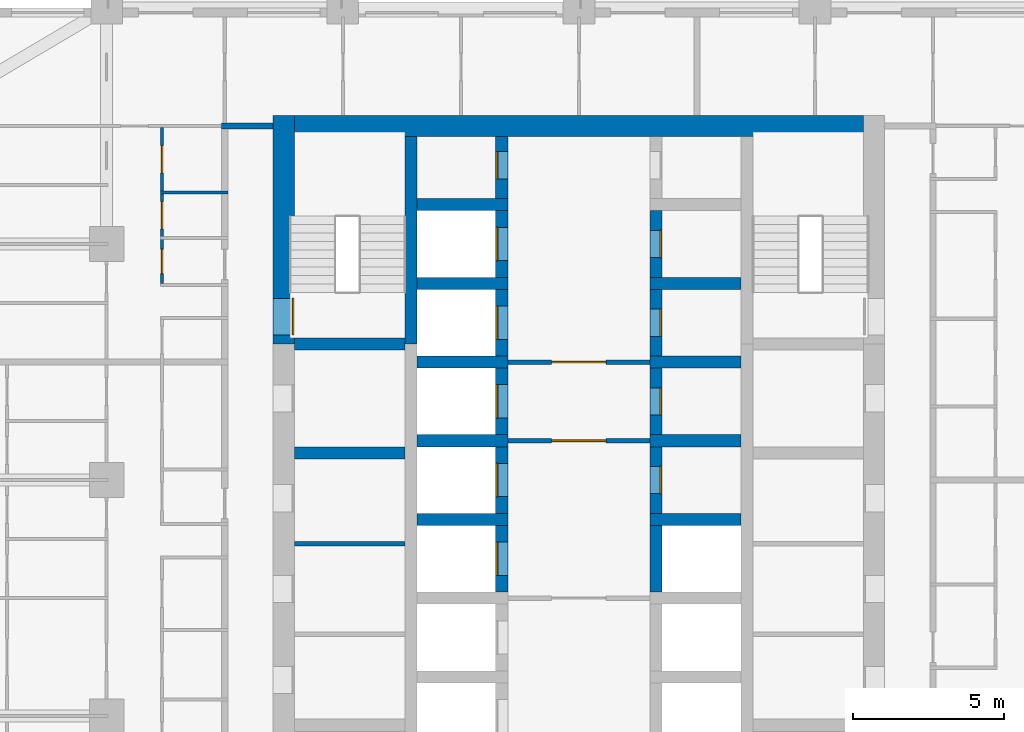
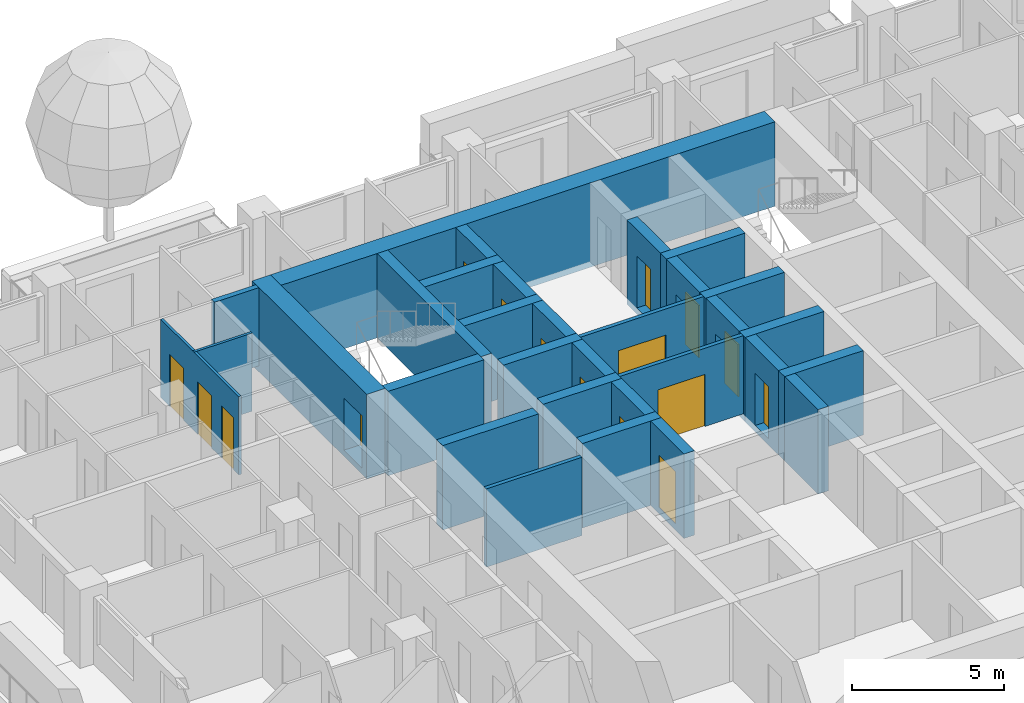
# One storey, part 11 of 19: 31 walls, 16 doors, 16 openings.
"""IFC4 building model written with IfcOpenShell, lengths in metres."""

from ifc_helpers import new_model, si_unit, direction, frame, frame_2d, origin, place, context, subcontext, project, spatial, rectangle, extrude, material, layer, layer_set, type_object, element, fill, save


model = new_model("IFC4")

# Units and contexts
model_context = context("Model", 3, precision=1e-05, world=origin(), true_north=direction((0.0, 1.0)))
body_context = subcontext(model_context, "Body", "Model", "MODEL_VIEW")
ifc_project = project(units=[si_unit("LENGTHUNIT", "METRE"), si_unit("AREAUNIT", "SQUARE_METRE"), si_unit("VOLUMEUNIT", "CUBIC_METRE"), si_unit("PLANEANGLEUNIT", "RADIAN"), si_unit("MASSUNIT", "GRAM", prefix="KILO")], contexts=[model_context])

# Site, building, storey
site_placement = place(None, origin())
site = spatial("IfcSite", under=ifc_project, at=site_placement, CompositionType="ELEMENT")
building_placement = place(site_placement, origin())
building = spatial("IfcBuilding", under=site, at=building_placement, Name="Ludao Terraces", CompositionType="ELEMENT")
storey_placement = place(building_placement, frame((0.0, 0.0, 36.5)))
storey = spatial("IfcBuildingStorey", under=building, at=storey_placement, Name="L09", CompositionType="ELEMENT", Elevation=36.5)

# Wall, opening, door
ifc_material_1 = material(Name="Concrete C70", Category="concrete")
ifc_layer_1 = layer(ifc_material_1, 0.699951171875)
ifc_layer_set_1 = layer_set([ifc_layer_1], Name="Core wall 700 C70")
wall_type_1 = type_object("IfcWallType", Name="Core wall 700 C70", PredefinedType="SOLIDWALL", material=ifc_layer_set_1)
wall_1_placement = place(storey_placement, frame((75.25, 77.300048828125, -0.25), z_axis=(0.0, 0.0, 1.0), x_axis=(0.0, 1.0, 0.0)))
wall_1 = element("IfcWall", 1, at=wall_1_placement, inside=storey, type_object=wall_type_1, Name="Core wall L09 outer-W-S1", PredefinedType="SOLIDWALL", context=body_context, shape_type="SweptSolid", body=[
    extrude(rectangle(XDim=7.550048828125, YDim=0.699951171875, at=frame_2d((3.77490234375, 0.0))), origin(), (0.0, 0.0, 1.0), 3.39990234375),
])
opening_1_placement = place(wall_1_placement, frame((0.300048828125, 0.0, 0.25)))
opening_1 = element("IfcOpeningElement", 2, at=opening_1_placement, cuts=wall_1, Name="Opening R02-133", PredefinedType="OPENING", context=body_context, shape_type="SweptSolid", body=[
    extrude(rectangle(XDim=1.199951171875, YDim=2.10009765625, at=frame_2d((0.60009765625, 1.050048828125))), frame((0.0, 0.35986328125, 0.0), z_axis=(0.0, -1.0, 0.0), x_axis=(1.0, 0.0, 0.0)), (0.0, 0.0, 1.0), 0.719970703125),
])
ifc_material_2 = material(Name="Steel Q235", Category="steel")
door_type_1 = type_object("IfcDoorType", Name="INT Stair door 1200", OperationType="DOUBLE_DOOR_SINGLE_SWING", PredefinedType="DOOR", material=ifc_material_2)
door_1_placement = place(opening_1_placement, origin())
door_1 = element("IfcDoor", 3, at=door_1_placement, inside=storey, type_object=door_type_1, Name="DOOR 133", OperationType="DOUBLE_DOOR_SINGLE_SWING", OverallHeight=2.10009765625, OverallWidth=1.199951171875, PredefinedType="DOOR", context=body_context, shape_type="SweptSolid", body=[
    extrude(rectangle(XDim=1.199951171875, YDim=2.10009765625, at=frame_2d((0.60009765625, 1.050048828125))), frame((0.0, -0.28515625, 0.0), z_axis=(0.0, -1.0, 0.0), x_axis=(1.0, 0.0, 0.0)), (0.0, 0.0, 1.0), 0.050048828125),
])
fill(opening_1, door_1)

# Walls
wall_2_placement = place(storey_placement, frame((75.60009765625, 84.5, -0.25), z_axis=(0.0, 0.0, 1.0), x_axis=(1.0, 0.0, 0.0)))
element("IfcWall", 4, at=wall_2_placement, inside=storey, type_object=wall_type_1, Name="Core wall L09 outer-N", PredefinedType="SOLIDWALL", context=body_context, shape_type="SweptSolid", body=[
    extrude(rectangle(XDim=18.7998046875, YDim=0.699951171875, at=frame_2d((9.39990234375, 0.0))), origin(), (0.0, 0.0, 1.0), 3.39990234375),
])
ifc_material_3 = material(Name="Fire-rated gypsum plasterboard", Category="gypsum")
ifc_layer_2 = layer(ifc_material_3, 0.012451171875, Category="gypsum")
ifc_material_4 = material(Name="Mineral wool")
ifc_layer_3 = layer(ifc_material_4, 0.10009765625, Name="insulation")
ifc_layer_4 = layer(ifc_material_2, 0.02490234375, Name="stud")
ifc_layer_5 = layer(ifc_material_3, 0.012451171875, Category="gypsum")
ifc_layer_set_2 = layer_set([ifc_layer_2, ifc_layer_3, ifc_layer_4, ifc_layer_5], Name="INT Core partition 150")
wall_type_2 = type_object("IfcWallType", Name="INT Core partition 150", PredefinedType="PARTITIONING", material=ifc_layer_set_2)
wall_3_placement = place(storey_placement, frame((75.60009765625, 70.699951171875, 0.0), z_axis=(0.0, 0.0, 1.0), x_axis=(1.0, 0.0, 0.0)))
element("IfcWall", 5, at=wall_3_placement, inside=storey, type_object=wall_type_2, Name="PW-L09-PW051", PredefinedType="PARTITIONING", context=body_context, shape_type="SweptSolid", body=[
    extrude(rectangle(XDim=3.64990234375, YDim=0.14990234375, at=frame_2d((1.824951171875, 0.0))), origin(), (0.0, 0.0, 1.0), 3.14990234375),
])

# Wall, opening, door
wall_4_placement = place(storey_placement, frame((82.650146484375, 74.10009765625, 0.0), z_axis=(0.0, 0.0, 1.0), x_axis=(1.0, 0.0, 0.0)))
wall_4 = element("IfcWall", 6, at=wall_4_placement, inside=storey, type_object=wall_type_2, Name="PW-L09-PW058", PredefinedType="PARTITIONING", context=body_context, shape_type="SweptSolid", body=[
    extrude(rectangle(XDim=4.699951171875, YDim=0.14990234375, at=frame_2d((2.35009765625, 0.0))), origin(), (0.0, 0.0, 1.0), 3.14990234375),
])
opening_2_placement = place(wall_4_placement, frame((1.449951171875, 0.0, 0.0)))
opening_2 = element("IfcOpeningElement", 7, at=opening_2_placement, cuts=wall_4, Name="Opening R02-116", PredefinedType="OPENING", context=body_context, shape_type="SweptSolid", body=[
    extrude(rectangle(XDim=1.800048828125, YDim=2.10009765625, at=frame_2d((0.89990234375, 1.050048828125))), frame((0.0, 0.0849609375, 0.0), z_axis=(0.0, -1.0, 0.0), x_axis=(1.0, 0.0, 0.0)), (0.0, 0.0, 1.0), 0.169921875),
])
door_type_2 = type_object("IfcDoorType", Name="INT Fire lobby door 1800", OperationType="DOUBLE_DOOR_SINGLE_SWING", PredefinedType="DOOR", material=ifc_material_2)
door_2_placement = place(opening_2_placement, origin())
door_2 = element("IfcDoor", 8, at=door_2_placement, inside=storey, type_object=door_type_2, Name="DOOR 116", OperationType="DOUBLE_DOOR_SINGLE_SWING", OverallHeight=2.10009765625, OverallWidth=1.800048828125, PredefinedType="DOOR", context=body_context, shape_type="SweptSolid", body=[
    extrude(rectangle(XDim=1.800048828125, YDim=2.10009765625, at=frame_2d((0.89990234375, 1.050048828125))), frame((0.0, 0.02490234375, 0.0), z_axis=(0.0, -1.0, 0.0), x_axis=(1.0, 0.0, 0.0)), (0.0, 0.0, 1.0), 0.050048828125),
])
fill(opening_2, door_2)

wall_5_placement = place(storey_placement, frame((82.650146484375, 76.699951171875, 0.0), z_axis=(0.0, 0.0, 1.0), x_axis=(1.0, 0.0, 0.0)))
wall_5 = element("IfcWall", 9, at=wall_5_placement, inside=storey, type_object=wall_type_2, Name="PW-L09-PW063", PredefinedType="PARTITIONING", context=body_context, shape_type="SweptSolid", body=[
    extrude(rectangle(XDim=4.699951171875, YDim=0.14990234375, at=frame_2d((2.35009765625, 0.0))), origin(), (0.0, 0.0, 1.0), 3.14990234375),
])
opening_3_placement = place(wall_5_placement, frame((1.449951171875, 0.0, 0.0)))
opening_3 = element("IfcOpeningElement", 10, at=opening_3_placement, cuts=wall_5, Name="Opening R02-127", PredefinedType="OPENING", context=body_context, shape_type="SweptSolid", body=[
    extrude(rectangle(XDim=1.800048828125, YDim=2.10009765625, at=frame_2d((0.89990234375, 1.050048828125))), frame((0.0, 0.0849609375, 0.0), z_axis=(0.0, -1.0, 0.0), x_axis=(1.0, 0.0, 0.0)), (0.0, 0.0, 1.0), 0.169921875),
])
door_3_placement = place(opening_3_placement, origin())
door_3 = element("IfcDoor", 11, at=door_3_placement, inside=storey, type_object=door_type_2, Name="DOOR 127", OperationType="DOUBLE_DOOR_SINGLE_SWING", OverallHeight=2.10009765625, OverallWidth=1.800048828125, PredefinedType="DOOR", context=body_context, shape_type="SweptSolid", body=[
    extrude(rectangle(XDim=1.800048828125, YDim=2.10009765625, at=frame_2d((0.89990234375, 1.050048828125))), frame((0.0, 0.02490234375, 0.0), z_axis=(0.0, -1.0, 0.0), x_axis=(1.0, 0.0, 0.0)), (0.0, 0.0, 1.0), 0.050048828125),
])
fill(opening_3, door_3)

# Walls
ifc_material_5 = material(Name="Autoclaved aerated concrete block B06 A3.5", Category="concrete")
ifc_layer_6 = layer(ifc_material_5, 0.199951171875)
ifc_layer_set_3 = layer_set([ifc_layer_6], Name="INT Entrance wall 200")
wall_type_3 = type_object("IfcWallType", Name="INT Entrance wall 200", PredefinedType="PARTITIONING", material=ifc_layer_set_3)
wall_6_placement = place(storey_placement, frame((73.2001953125, 84.5, 0.0), z_axis=(0.0, 0.0, 1.0), x_axis=(1.0, 0.0, 0.0)))
element("IfcWall", 12, at=wall_6_placement, inside=storey, type_object=wall_type_3, Name="PW-L09-PW078", PredefinedType="PARTITIONING", context=body_context, shape_type="SweptSolid", body=[
    extrude(rectangle(XDim=1.699951171875, YDim=0.199951171875, at=frame_2d((0.85009765625, 0.0))), origin(), (0.0, 0.0, 1.0), 3.14990234375),
])
ifc_material_6 = material(Name="Gypsum plasterboard", Category="gypsum")
ifc_layer_7 = layer(ifc_material_6, 0.012451171875, Category="gypsum")
ifc_layer_8 = layer(ifc_material_4, 0.06005859375, Name="insulation")
ifc_layer_9 = layer(ifc_material_2, 0.014892578125, Name="stud")
ifc_layer_10 = layer(ifc_material_6, 0.012451171875, Category="gypsum")
ifc_layer_set_4 = layer_set([ifc_layer_7, ifc_layer_8, ifc_layer_9, ifc_layer_10], Name="INT Partition 100")
wall_type_4 = type_object("IfcWallType", Name="INT Partition 100", PredefinedType="PARTITIONING", material=ifc_layer_set_4)
wall_7_placement = place(storey_placement, frame((71.18017578125, 82.300048828125, 0.0), z_axis=(0.0, 0.0, 1.0), x_axis=(1.0, 0.0, 0.0)))
element("IfcWall", 13, at=wall_7_placement, inside=storey, type_object=wall_type_4, Name="PW-L09-PW074", PredefinedType="PARTITIONING", context=body_context, shape_type="SweptSolid", body=[
    extrude(rectangle(XDim=2.219970703125, YDim=0.10009765625, at=frame_2d((1.10986328125, 0.0))), origin(), (0.0, 0.0, 1.0), 3.14990234375),
])

# Wall, openings, doors
wall_8_placement = place(storey_placement, frame((71.22998046875, 79.300048828125, 0.0), z_axis=(0.0, 0.0, 1.0), x_axis=(0.0, 1.0, 0.0)))
wall_8 = element("IfcWall", 14, at=wall_8_placement, inside=storey, type_object=wall_type_4, Name="PW-L09-PW087", PredefinedType="PARTITIONING", context=body_context, shape_type="SweptSolid", body=[
    extrude(rectangle(XDim=5.150146484375, YDim=0.10009765625, at=frame_2d((2.5751953125, 0.0))), origin(), (0.0, 0.0, 1.0), 3.14990234375),
])
opening_4_placement = place(wall_8_placement, frame((0.324951171875, 0.0, 0.0)))
opening_4 = element("IfcOpeningElement", 15, at=opening_4_placement, cuts=wall_8, Name="Opening R02-141", PredefinedType="OPENING", context=body_context, shape_type="SweptSolid", body=[
    extrude(rectangle(XDim=0.800048828125, YDim=2.10009765625, at=frame_2d((0.39990234375, 1.050048828125))), frame((0.0, 0.06005859375, 0.0), z_axis=(0.0, -1.0, 0.0), x_axis=(1.0, 0.0, 0.0)), (0.0, 0.0, 1.0), 0.1201171875),
])
opening_5_placement = place(wall_8_placement, frame((1.800048828125, 0.0, 0.0)))
opening_5 = element("IfcOpeningElement", 16, at=opening_5_placement, cuts=wall_8, Name="Opening R02-144", PredefinedType="OPENING", context=body_context, shape_type="SweptSolid", body=[
    extrude(rectangle(XDim=0.89990234375, YDim=2.10009765625, at=frame_2d((0.449951171875, 1.050048828125))), frame((0.0, 0.06005859375, 0.0), z_axis=(0.0, -1.0, 0.0), x_axis=(1.0, 0.0, 0.0)), (0.0, 0.0, 1.0), 0.1201171875),
])
opening_6_placement = place(wall_8_placement, frame((3.64990234375, 0.0, 0.0)))
opening_6 = element("IfcOpeningElement", 17, at=opening_6_placement, cuts=wall_8, Name="Opening R02-150", PredefinedType="OPENING", context=body_context, shape_type="SweptSolid", body=[
    extrude(rectangle(XDim=0.89990234375, YDim=2.10009765625, at=frame_2d((0.449951171875, 1.050048828125))), frame((0.0, 0.06005859375, 0.0), z_axis=(0.0, -1.0, 0.0), x_axis=(1.0, 0.0, 0.0)), (0.0, 0.0, 1.0), 0.1201171875),
])
ifc_material_7 = material(Name="Timber door leaf", Category="wood")
door_type_3 = type_object("IfcDoorType", Name="INT Bathroom door 900", OperationType="SINGLE_SWING_LEFT", PredefinedType="DOOR", material=ifc_material_7)
door_4_placement = place(opening_5_placement, origin())
door_4 = element("IfcDoor", 18, at=door_4_placement, inside=storey, type_object=door_type_3, Name="DOOR 144", OperationType="SINGLE_SWING_RIGHT", OverallHeight=2.10009765625, OverallWidth=0.89990234375, PredefinedType="DOOR", context=body_context, shape_type="SweptSolid", body=[
    extrude(rectangle(XDim=0.89990234375, YDim=2.10009765625, at=frame_2d((0.449951171875, 1.050048828125))), frame((0.0, 0.02490234375, 0.0), z_axis=(0.0, -1.0, 0.0), x_axis=(1.0, 0.0, 0.0)), (0.0, 0.0, 1.0), 0.050048828125),
])
fill(opening_5, door_4)
door_type_4 = type_object("IfcDoorType", Name="INT Room door 900", OperationType="SINGLE_SWING_LEFT", PredefinedType="DOOR", material=ifc_material_7)
door_5_placement = place(opening_6_placement, origin())
door_5 = element("IfcDoor", 19, at=door_5_placement, inside=storey, type_object=door_type_4, Name="DOOR 150", OperationType="SINGLE_SWING_RIGHT", OverallHeight=2.10009765625, OverallWidth=0.89990234375, PredefinedType="DOOR", context=body_context, shape_type="SweptSolid", body=[
    extrude(rectangle(XDim=0.89990234375, YDim=2.10009765625, at=frame_2d((0.449951171875, 1.050048828125))), frame((0.0, 0.02490234375, 0.0), z_axis=(0.0, -1.0, 0.0), x_axis=(1.0, 0.0, 0.0)), (0.0, 0.0, 1.0), 0.050048828125),
])
fill(opening_6, door_5)
door_type_5 = type_object("IfcDoorType", Name="INT Store door 800", OperationType="SINGLE_SWING_LEFT", PredefinedType="DOOR", material=ifc_material_7)
door_6_placement = place(opening_4_placement, origin())
door_6 = element("IfcDoor", 20, at=door_6_placement, inside=storey, type_object=door_type_5, Name="DOOR 141", OperationType="SINGLE_SWING_LEFT", OverallHeight=2.10009765625, OverallWidth=0.800048828125, PredefinedType="DOOR", context=body_context, shape_type="SweptSolid", body=[
    extrude(rectangle(XDim=0.800048828125, YDim=2.10009765625, at=frame_2d((0.39990234375, 1.050048828125))), frame((0.0, 0.02490234375, 0.0), z_axis=(0.0, -1.0, 0.0), x_axis=(1.0, 0.0, 0.0)), (0.0, 0.0, 1.0), 0.050048828125),
])
fill(opening_4, door_6)

# Wall
ifc_material_8 = material(Name="Concrete C60", Category="concrete")
ifc_layer_11 = layer(ifc_material_8, 0.39990234375)
ifc_layer_set_5 = layer_set([ifc_layer_11], Name="Shaft wall 400 C60")
wall_type_5 = type_object("IfcWallType", Name="Shaft wall 400 C60", PredefinedType="SOLIDWALL", material=ifc_layer_set_5)
wall_9_placement = place(storey_placement, frame((79.449951171875, 77.300048828125, -0.25), z_axis=(0.0, 0.0, 1.0), x_axis=(0.0, 1.0, 0.0)))
element("IfcWall", 21, at=wall_9_placement, inside=storey, type_object=wall_type_5, Name="Core wall L09 back-W-S1", PredefinedType="SOLIDWALL", context=body_context, shape_type="SweptSolid", body=[
    extrude(rectangle(XDim=6.849853515625, YDim=0.39990234375, at=frame_2d((3.4248046875, 0.0))), origin(), (0.0, 0.0, 1.0), 3.39990234375),
])

# Wall, opening, door
wall_10_placement = place(storey_placement, frame((82.449951171875, 69.10009765625, -0.25), z_axis=(0.0, 0.0, 1.0), x_axis=(0.0, 1.0, 0.0)))
wall_10 = element("IfcWall", 22, at=wall_10_placement, inside=storey, type_object=wall_type_5, Name="Core wall L09 front-W4", PredefinedType="SOLIDWALL", context=body_context, shape_type="SweptSolid", body=[
    extrude(rectangle(XDim=2.199951171875, YDim=0.39990234375, at=frame_2d((1.10009765625, 0.0))), origin(), (0.0, 0.0, 1.0), 3.39990234375),
])
opening_7_placement = place(wall_10_placement, frame((0.550048828125, 0.0, 0.25)))
opening_7 = element("IfcOpeningElement", 23, at=opening_7_placement, cuts=wall_10, Name="Opening LD-LA4", PredefinedType="OPENING", context=body_context, shape_type="SweptSolid", body=[
    extrude(rectangle(XDim=1.10009765625, YDim=2.10009765625, at=frame_2d((0.550048828125, 1.050048828125))), frame((0.0, 0.2099609375, 0.0), z_axis=(0.0, -1.0, 0.0), x_axis=(1.0, 0.0, 0.0)), (0.0, 0.0, 1.0), 0.419921875),
])
ifc_material_9 = material(Name="Stainless steel 304", Category="steel")
door_type_6 = type_object("IfcDoorType", Name="INT Lift landing door 1100", OperationType="SLIDING_TO_LEFT", PredefinedType="DOOR", material=ifc_material_9)
door_7_placement = place(opening_7_placement, origin())
door_7 = element("IfcDoor", 24, at=door_7_placement, inside=storey, type_object=door_type_6, Name="LANDING DOOR LA4 L09", OperationType="SLIDING_TO_LEFT", OverallHeight=2.10009765625, OverallWidth=1.10009765625, PredefinedType="DOOR", context=body_context, shape_type="SweptSolid", body=[
    extrude(rectangle(XDim=1.10009765625, YDim=2.10009765625, at=frame_2d((0.550048828125, 1.050048828125))), frame((0.0, 0.18505859375, 0.0), z_axis=(0.0, -1.0, 0.0), x_axis=(1.0, 0.0, 0.0)), (0.0, 0.0, 1.0), 0.050048828125),
])
fill(opening_7, door_7)

# Wall
wall_11_placement = place(storey_placement, frame((79.64990234375, 71.5, -0.25), z_axis=(0.0, 0.0, 1.0), x_axis=(1.0, 0.0, 0.0)))
element("IfcWall", 25, at=wall_11_placement, inside=storey, type_object=wall_type_5, Name="Core wall L09 div-W5", PredefinedType="SOLIDWALL", context=body_context, shape_type="SweptSolid", body=[
    extrude(rectangle(XDim=3.0, YDim=0.39990234375, at=frame_2d((1.5, 0.0))), origin(), (0.0, 0.0, 1.0), 3.39990234375),
])

# Wall, opening, door
wall_12_placement = place(storey_placement, frame((82.449951171875, 71.699951171875, -0.25), z_axis=(0.0, 0.0, 1.0), x_axis=(0.0, 1.0, 0.0)))
wall_12 = element("IfcWall", 26, at=wall_12_placement, inside=storey, type_object=wall_type_5, Name="Core wall L09 front-W5", PredefinedType="SOLIDWALL", context=body_context, shape_type="SweptSolid", body=[
    extrude(rectangle(XDim=2.199951171875, YDim=0.39990234375, at=frame_2d((1.10009765625, 0.0))), origin(), (0.0, 0.0, 1.0), 3.39990234375),
])
opening_8_placement = place(wall_12_placement, frame((0.550048828125, 0.0, 0.25)))
opening_8 = element("IfcOpeningElement", 27, at=opening_8_placement, cuts=wall_12, Name="Opening LD-LA5", PredefinedType="OPENING", context=body_context, shape_type="SweptSolid", body=[
    extrude(rectangle(XDim=1.10009765625, YDim=2.10009765625, at=frame_2d((0.550048828125, 1.050048828125))), frame((0.0, 0.2099609375, 0.0), z_axis=(0.0, -1.0, 0.0), x_axis=(1.0, 0.0, 0.0)), (0.0, 0.0, 1.0), 0.419921875),
])
door_8_placement = place(opening_8_placement, origin())
door_8 = element("IfcDoor", 28, at=door_8_placement, inside=storey, type_object=door_type_6, Name="LANDING DOOR LA5 L09", OperationType="SLIDING_TO_LEFT", OverallHeight=2.10009765625, OverallWidth=1.10009765625, PredefinedType="DOOR", context=body_context, shape_type="SweptSolid", body=[
    extrude(rectangle(XDim=1.10009765625, YDim=2.10009765625, at=frame_2d((0.550048828125, 1.050048828125))), frame((0.0, 0.18505859375, 0.0), z_axis=(0.0, -1.0, 0.0), x_axis=(1.0, 0.0, 0.0)), (0.0, 0.0, 1.0), 0.050048828125),
])
fill(opening_8, door_8)

# Wall
wall_13_placement = place(storey_placement, frame((79.64990234375, 74.10009765625, -0.25), z_axis=(0.0, 0.0, 1.0), x_axis=(1.0, 0.0, 0.0)))
element("IfcWall", 29, at=wall_13_placement, inside=storey, type_object=wall_type_5, Name="Core wall L09 div-W6", PredefinedType="SOLIDWALL", context=body_context, shape_type="SweptSolid", body=[
    extrude(rectangle(XDim=3.0, YDim=0.39990234375, at=frame_2d((1.5, 0.0))), origin(), (0.0, 0.0, 1.0), 3.39990234375),
])

# Wall, opening, door
wall_14_placement = place(storey_placement, frame((82.449951171875, 74.300048828125, -0.25), z_axis=(0.0, 0.0, 1.0), x_axis=(0.0, 1.0, 0.0)))
wall_14 = element("IfcWall", 30, at=wall_14_placement, inside=storey, type_object=wall_type_5, Name="Core wall L09 front-W6", PredefinedType="SOLIDWALL", context=body_context, shape_type="SweptSolid", body=[
    extrude(rectangle(XDim=2.199951171875, YDim=0.39990234375, at=frame_2d((1.10009765625, 0.0))), origin(), (0.0, 0.0, 1.0), 3.39990234375),
])
opening_9_placement = place(wall_14_placement, frame((0.550048828125, 0.0, 0.25)))
opening_9 = element("IfcOpeningElement", 31, at=opening_9_placement, cuts=wall_14, Name="Opening LD-LA6", PredefinedType="OPENING", context=body_context, shape_type="SweptSolid", body=[
    extrude(rectangle(XDim=1.10009765625, YDim=2.10009765625, at=frame_2d((0.550048828125, 1.050048828125))), frame((0.0, 0.2099609375, 0.0), z_axis=(0.0, -1.0, 0.0), x_axis=(1.0, 0.0, 0.0)), (0.0, 0.0, 1.0), 0.419921875),
])
door_9_placement = place(opening_9_placement, origin())
door_9 = element("IfcDoor", 32, at=door_9_placement, inside=storey, type_object=door_type_6, Name="LANDING DOOR LA6 L09", OperationType="SLIDING_TO_LEFT", OverallHeight=2.10009765625, OverallWidth=1.10009765625, PredefinedType="DOOR", context=body_context, shape_type="SweptSolid", body=[
    extrude(rectangle(XDim=1.10009765625, YDim=2.10009765625, at=frame_2d((0.550048828125, 1.050048828125))), frame((0.0, 0.18505859375, 0.0), z_axis=(0.0, -1.0, 0.0), x_axis=(1.0, 0.0, 0.0)), (0.0, 0.0, 1.0), 0.050048828125),
])
fill(opening_9, door_9)

# Wall
wall_15_placement = place(storey_placement, frame((79.64990234375, 76.699951171875, -0.25), z_axis=(0.0, 0.0, 1.0), x_axis=(1.0, 0.0, 0.0)))
element("IfcWall", 33, at=wall_15_placement, inside=storey, type_object=wall_type_5, Name="Core wall L09 div-W7", PredefinedType="SOLIDWALL", context=body_context, shape_type="SweptSolid", body=[
    extrude(rectangle(XDim=3.0, YDim=0.39990234375, at=frame_2d((1.5, 0.0))), origin(), (0.0, 0.0, 1.0), 3.39990234375),
])

# Wall, opening, door
wall_16_placement = place(storey_placement, frame((82.449951171875, 76.89990234375, -0.25), z_axis=(0.0, 0.0, 1.0), x_axis=(0.0, 1.0, 0.0)))
wall_16 = element("IfcWall", 34, at=wall_16_placement, inside=storey, type_object=wall_type_5, Name="Core wall L09 front-W7", PredefinedType="SOLIDWALL", context=body_context, shape_type="SweptSolid", body=[
    extrude(rectangle(XDim=2.2001953125, YDim=0.39990234375, at=frame_2d((1.10009765625, 0.0))), origin(), (0.0, 0.0, 1.0), 3.39990234375),
])
opening_10_placement = place(wall_16_placement, frame((0.550048828125, 0.0, 0.25)))
opening_10 = element("IfcOpeningElement", 35, at=opening_10_placement, cuts=wall_16, Name="Opening LD-FF1", PredefinedType="OPENING", context=body_context, shape_type="SweptSolid", body=[
    extrude(rectangle(XDim=1.10009765625, YDim=2.10009765625, at=frame_2d((0.550048828125, 1.050048828125))), frame((0.0, 0.2099609375, 0.0), z_axis=(0.0, -1.0, 0.0), x_axis=(1.0, 0.0, 0.0)), (0.0, 0.0, 1.0), 0.419921875),
])
door_10_placement = place(opening_10_placement, origin())
door_10 = element("IfcDoor", 36, at=door_10_placement, inside=storey, type_object=door_type_6, Name="LANDING DOOR FF1 L09", OperationType="SLIDING_TO_LEFT", OverallHeight=2.10009765625, OverallWidth=1.10009765625, PredefinedType="DOOR", context=body_context, shape_type="SweptSolid", body=[
    extrude(rectangle(XDim=1.10009765625, YDim=2.10009765625, at=frame_2d((0.550048828125, 1.050048828125))), frame((0.0, 0.18505859375, 0.0), z_axis=(0.0, -1.0, 0.0), x_axis=(1.0, 0.0, 0.0)), (0.0, 0.0, 1.0), 0.050048828125),
])
fill(opening_10, door_10)

# Wall
wall_17_placement = place(storey_placement, frame((79.64990234375, 79.300048828125, -0.25), z_axis=(0.0, 0.0, 1.0), x_axis=(1.0, 0.0, 0.0)))
element("IfcWall", 37, at=wall_17_placement, inside=storey, type_object=wall_type_5, Name="Core wall L09 div-W8", PredefinedType="SOLIDWALL", context=body_context, shape_type="SweptSolid", body=[
    extrude(rectangle(XDim=3.0, YDim=0.39990234375, at=frame_2d((1.5, 0.0))), origin(), (0.0, 0.0, 1.0), 3.39990234375),
])

# Wall, opening, door
wall_18_placement = place(storey_placement, frame((82.449951171875, 79.5, -0.25), z_axis=(0.0, 0.0, 1.0), x_axis=(0.0, 1.0, 0.0)))
wall_18 = element("IfcWall", 38, at=wall_18_placement, inside=storey, type_object=wall_type_5, Name="Core wall L09 front-W8", PredefinedType="SOLIDWALL", context=body_context, shape_type="SweptSolid", body=[
    extrude(rectangle(XDim=2.199951171875, YDim=0.39990234375, at=frame_2d((1.10009765625, 0.0))), origin(), (0.0, 0.0, 1.0), 3.39990234375),
])
opening_11_placement = place(wall_18_placement, frame((0.550048828125, 0.0, 0.25)))
opening_11 = element("IfcOpeningElement", 39, at=opening_11_placement, cuts=wall_18, Name="Opening LD-FF2", PredefinedType="OPENING", context=body_context, shape_type="SweptSolid", body=[
    extrude(rectangle(XDim=1.10009765625, YDim=2.10009765625, at=frame_2d((0.550048828125, 1.050048828125))), frame((0.0, 0.2099609375, 0.0), z_axis=(0.0, -1.0, 0.0), x_axis=(1.0, 0.0, 0.0)), (0.0, 0.0, 1.0), 0.419921875),
])
door_11_placement = place(opening_11_placement, origin())
door_11 = element("IfcDoor", 40, at=door_11_placement, inside=storey, type_object=door_type_6, Name="LANDING DOOR FF2 L09", OperationType="SLIDING_TO_LEFT", OverallHeight=2.10009765625, OverallWidth=1.10009765625, PredefinedType="DOOR", context=body_context, shape_type="SweptSolid", body=[
    extrude(rectangle(XDim=1.10009765625, YDim=2.10009765625, at=frame_2d((0.550048828125, 1.050048828125))), frame((0.0, 0.18505859375, 0.0), z_axis=(0.0, -1.0, 0.0), x_axis=(1.0, 0.0, 0.0)), (0.0, 0.0, 1.0), 0.050048828125),
])
fill(opening_11, door_11)

# Wall
wall_19_placement = place(storey_placement, frame((79.64990234375, 81.89990234375, -0.25), z_axis=(0.0, 0.0, 1.0), x_axis=(1.0, 0.0, 0.0)))
element("IfcWall", 41, at=wall_19_placement, inside=storey, type_object=wall_type_5, Name="Core wall L09 div-W9", PredefinedType="SOLIDWALL", context=body_context, shape_type="SweptSolid", body=[
    extrude(rectangle(XDim=3.0, YDim=0.39990234375, at=frame_2d((1.5, 0.0))), origin(), (0.0, 0.0, 1.0), 3.39990234375),
])

# Wall, opening, door
wall_20_placement = place(storey_placement, frame((82.449951171875, 82.10009765625, -0.25), z_axis=(0.0, 0.0, 1.0), x_axis=(0.0, 1.0, 0.0)))
wall_20 = element("IfcWall", 42, at=wall_20_placement, inside=storey, type_object=wall_type_5, Name="Core wall L09 front-W9", PredefinedType="SOLIDWALL", context=body_context, shape_type="SweptSolid", body=[
    extrude(rectangle(XDim=2.0498046875, YDim=0.39990234375, at=frame_2d((1.02490234375, 0.0))), origin(), (0.0, 0.0, 1.0), 3.39990234375),
])
opening_12_placement = place(wall_20_placement, frame((0.64990234375, 0.0, 0.25)))
opening_12 = element("IfcOpeningElement", 43, at=opening_12_placement, cuts=wall_20, Name="Opening R02-148", PredefinedType="OPENING", context=body_context, shape_type="SweptSolid", body=[
    extrude(rectangle(XDim=0.89990234375, YDim=2.10009765625, at=frame_2d((0.449951171875, 1.050048828125))), frame((0.0, 0.2099609375, 0.0), z_axis=(0.0, -1.0, 0.0), x_axis=(1.0, 0.0, 0.0)), (0.0, 0.0, 1.0), 0.419921875),
])
door_12_placement = place(opening_12_placement, origin())
door_12 = element("IfcDoor", 44, at=door_12_placement, inside=storey, type_object=door_type_4, Name="DOOR 148", OperationType="SINGLE_SWING_RIGHT", OverallHeight=2.10009765625, OverallWidth=0.89990234375, PredefinedType="DOOR", context=body_context, shape_type="SweptSolid", body=[
    extrude(rectangle(XDim=0.89990234375, YDim=2.10009765625, at=frame_2d((0.449951171875, 1.050048828125))), frame((0.0, 0.18505859375, 0.0), z_axis=(0.0, -1.0, 0.0), x_axis=(1.0, 0.0, 0.0)), (0.0, 0.0, 1.0), 0.050048828125),
])
fill(opening_12, door_12)

# Walls
wall_21_placement = place(storey_placement, frame((87.550048828125, 69.10009765625, -0.25), z_axis=(0.0, 0.0, 1.0), x_axis=(0.0, 1.0, 0.0)))
element("IfcWall", 45, at=wall_21_placement, inside=storey, type_object=wall_type_5, Name="Core wall L09 front-E4", PredefinedType="SOLIDWALL", context=body_context, shape_type="SweptSolid", body=[
    extrude(rectangle(XDim=2.199951171875, YDim=0.39990234375, at=frame_2d((1.10009765625, 0.0))), origin(), (0.0, 0.0, 1.0), 3.39990234375),
])
wall_22_placement = place(storey_placement, frame((87.35009765625, 71.5, -0.25), z_axis=(0.0, 0.0, 1.0), x_axis=(1.0, 0.0, 0.0)))
element("IfcWall", 46, at=wall_22_placement, inside=storey, type_object=wall_type_5, Name="Core wall L09 div-E5", PredefinedType="SOLIDWALL", context=body_context, shape_type="SweptSolid", body=[
    extrude(rectangle(XDim=3.0, YDim=0.39990234375, at=frame_2d((1.5, 0.0))), origin(), (0.0, 0.0, 1.0), 3.39990234375),
])

# Wall, opening, door
wall_23_placement = place(storey_placement, frame((87.550048828125, 71.699951171875, -0.25), z_axis=(0.0, 0.0, 1.0), x_axis=(0.0, 1.0, 0.0)))
wall_23 = element("IfcWall", 47, at=wall_23_placement, inside=storey, type_object=wall_type_5, Name="Core wall L09 front-E5", PredefinedType="SOLIDWALL", context=body_context, shape_type="SweptSolid", body=[
    extrude(rectangle(XDim=2.199951171875, YDim=0.39990234375, at=frame_2d((1.10009765625, 0.0))), origin(), (0.0, 0.0, 1.0), 3.39990234375),
])
opening_13_placement = place(wall_23_placement, frame((0.64990234375, 0.0, 0.25)))
opening_13 = element("IfcOpeningElement", 48, at=opening_13_placement, cuts=wall_23, Name="Opening R02-112", PredefinedType="OPENING", context=body_context, shape_type="SweptSolid", body=[
    extrude(rectangle(XDim=0.89990234375, YDim=2.10009765625, at=frame_2d((0.449951171875, 1.050048828125))), frame((0.0, 0.2099609375, 0.0), z_axis=(0.0, -1.0, 0.0), x_axis=(1.0, 0.0, 0.0)), (0.0, 0.0, 1.0), 0.419921875),
])
door_13_placement = place(opening_13_placement, origin())
door_13 = element("IfcDoor", 49, at=door_13_placement, inside=storey, type_object=door_type_4, Name="DOOR 112", OperationType="SINGLE_SWING_RIGHT", OverallHeight=2.10009765625, OverallWidth=0.89990234375, PredefinedType="DOOR", context=body_context, shape_type="SweptSolid", body=[
    extrude(rectangle(XDim=0.89990234375, YDim=2.10009765625, at=frame_2d((0.449951171875, 1.050048828125))), frame((0.0, -0.134765625, 0.0), z_axis=(0.0, -1.0, 0.0), x_axis=(1.0, 0.0, 0.0)), (0.0, 0.0, 1.0), 0.050048828125),
])
fill(opening_13, door_13)

# Wall
wall_24_placement = place(storey_placement, frame((87.35009765625, 74.10009765625, -0.25), z_axis=(0.0, 0.0, 1.0), x_axis=(1.0, 0.0, 0.0)))
element("IfcWall", 50, at=wall_24_placement, inside=storey, type_object=wall_type_5, Name="Core wall L09 div-E6", PredefinedType="SOLIDWALL", context=body_context, shape_type="SweptSolid", body=[
    extrude(rectangle(XDim=3.0, YDim=0.39990234375, at=frame_2d((1.5, 0.0))), origin(), (0.0, 0.0, 1.0), 3.39990234375),
])

# Wall, opening, door
wall_25_placement = place(storey_placement, frame((87.550048828125, 74.300048828125, -0.25), z_axis=(0.0, 0.0, 1.0), x_axis=(0.0, 1.0, 0.0)))
wall_25 = element("IfcWall", 51, at=wall_25_placement, inside=storey, type_object=wall_type_5, Name="Core wall L09 front-E6", PredefinedType="SOLIDWALL", context=body_context, shape_type="SweptSolid", body=[
    extrude(rectangle(XDim=2.199951171875, YDim=0.39990234375, at=frame_2d((1.10009765625, 0.0))), origin(), (0.0, 0.0, 1.0), 3.39990234375),
])
opening_14_placement = place(wall_25_placement, frame((0.64990234375, 0.0, 0.25)))
opening_14 = element("IfcOpeningElement", 52, at=opening_14_placement, cuts=wall_25, Name="Opening R02-119", PredefinedType="OPENING", context=body_context, shape_type="SweptSolid", body=[
    extrude(rectangle(XDim=0.89990234375, YDim=2.10009765625, at=frame_2d((0.449951171875, 1.050048828125))), frame((0.0, 0.2099609375, 0.0), z_axis=(0.0, -1.0, 0.0), x_axis=(1.0, 0.0, 0.0)), (0.0, 0.0, 1.0), 0.419921875),
])
door_14_placement = place(opening_14_placement, origin())
door_14 = element("IfcDoor", 53, at=door_14_placement, inside=storey, type_object=door_type_4, Name="DOOR 119", OperationType="SINGLE_SWING_RIGHT", OverallHeight=2.10009765625, OverallWidth=0.89990234375, PredefinedType="DOOR", context=body_context, shape_type="SweptSolid", body=[
    extrude(rectangle(XDim=0.89990234375, YDim=2.10009765625, at=frame_2d((0.449951171875, 1.050048828125))), frame((0.0, -0.134765625, 0.0), z_axis=(0.0, -1.0, 0.0), x_axis=(1.0, 0.0, 0.0)), (0.0, 0.0, 1.0), 0.050048828125),
])
fill(opening_14, door_14)

# Wall
wall_26_placement = place(storey_placement, frame((87.35009765625, 76.699951171875, -0.25), z_axis=(0.0, 0.0, 1.0), x_axis=(1.0, 0.0, 0.0)))
element("IfcWall", 54, at=wall_26_placement, inside=storey, type_object=wall_type_5, Name="Core wall L09 div-E7", PredefinedType="SOLIDWALL", context=body_context, shape_type="SweptSolid", body=[
    extrude(rectangle(XDim=3.0, YDim=0.39990234375, at=frame_2d((1.5, 0.0))), origin(), (0.0, 0.0, 1.0), 3.39990234375),
])

# Wall, opening, door
wall_27_placement = place(storey_placement, frame((87.550048828125, 76.89990234375, -0.25), z_axis=(0.0, 0.0, 1.0), x_axis=(0.0, 1.0, 0.0)))
wall_27 = element("IfcWall", 55, at=wall_27_placement, inside=storey, type_object=wall_type_5, Name="Core wall L09 front-E7", PredefinedType="SOLIDWALL", context=body_context, shape_type="SweptSolid", body=[
    extrude(rectangle(XDim=2.2001953125, YDim=0.39990234375, at=frame_2d((1.10009765625, 0.0))), origin(), (0.0, 0.0, 1.0), 3.39990234375),
])
opening_15_placement = place(wall_27_placement, frame((0.64990234375, 0.0, 0.25)))
opening_15 = element("IfcOpeningElement", 56, at=opening_15_placement, cuts=wall_27, Name="Opening R02-132", PredefinedType="OPENING", context=body_context, shape_type="SweptSolid", body=[
    extrude(rectangle(XDim=0.89990234375, YDim=2.10009765625, at=frame_2d((0.449951171875, 1.050048828125))), frame((0.0, 0.2099609375, 0.0), z_axis=(0.0, -1.0, 0.0), x_axis=(1.0, 0.0, 0.0)), (0.0, 0.0, 1.0), 0.419921875),
])
door_15_placement = place(opening_15_placement, origin())
door_15 = element("IfcDoor", 57, at=door_15_placement, inside=storey, type_object=door_type_4, Name="DOOR 132", OperationType="SINGLE_SWING_RIGHT", OverallHeight=2.10009765625, OverallWidth=0.89990234375, PredefinedType="DOOR", context=body_context, shape_type="SweptSolid", body=[
    extrude(rectangle(XDim=0.89990234375, YDim=2.10009765625, at=frame_2d((0.449951171875, 1.050048828125))), frame((0.0, -0.134765625, 0.0), z_axis=(0.0, -1.0, 0.0), x_axis=(1.0, 0.0, 0.0)), (0.0, 0.0, 1.0), 0.050048828125),
])
fill(opening_15, door_15)

# Wall
wall_28_placement = place(storey_placement, frame((87.35009765625, 79.300048828125, -0.25), z_axis=(0.0, 0.0, 1.0), x_axis=(1.0, 0.0, 0.0)))
element("IfcWall", 58, at=wall_28_placement, inside=storey, type_object=wall_type_5, Name="Core wall L09 div-E8", PredefinedType="SOLIDWALL", context=body_context, shape_type="SweptSolid", body=[
    extrude(rectangle(XDim=3.0, YDim=0.39990234375, at=frame_2d((1.5, 0.0))), origin(), (0.0, 0.0, 1.0), 3.39990234375),
])

# Wall, opening, door
wall_29_placement = place(storey_placement, frame((87.550048828125, 79.5, -0.25), z_axis=(0.0, 0.0, 1.0), x_axis=(0.0, 1.0, 0.0)))
wall_29 = element("IfcWall", 59, at=wall_29_placement, inside=storey, type_object=wall_type_5, Name="Core wall L09 front-E8", PredefinedType="SOLIDWALL", context=body_context, shape_type="SweptSolid", body=[
    extrude(rectangle(XDim=2.199951171875, YDim=0.39990234375, at=frame_2d((1.10009765625, 0.0))), origin(), (0.0, 0.0, 1.0), 3.39990234375),
])
opening_16_placement = place(wall_29_placement, frame((0.64990234375, 0.0, 0.25)))
opening_16 = element("IfcOpeningElement", 60, at=opening_16_placement, cuts=wall_29, Name="Opening R02-143", PredefinedType="OPENING", context=body_context, shape_type="SweptSolid", body=[
    extrude(rectangle(XDim=0.89990234375, YDim=2.10009765625, at=frame_2d((0.449951171875, 1.050048828125))), frame((0.0, 0.2099609375, 0.0), z_axis=(0.0, -1.0, 0.0), x_axis=(1.0, 0.0, 0.0)), (0.0, 0.0, 1.0), 0.419921875),
])
door_16_placement = place(opening_16_placement, origin())
door_16 = element("IfcDoor", 61, at=door_16_placement, inside=storey, type_object=door_type_4, Name="DOOR 143", OperationType="SINGLE_SWING_LEFT", OverallHeight=2.10009765625, OverallWidth=0.89990234375, PredefinedType="DOOR", context=body_context, shape_type="SweptSolid", body=[
    extrude(rectangle(XDim=0.89990234375, YDim=2.10009765625, at=frame_2d((0.449951171875, 1.050048828125))), frame((0.0, -0.134765625, 0.0), z_axis=(0.0, -1.0, 0.0), x_axis=(1.0, 0.0, 0.0)), (0.0, 0.0, 1.0), 0.050048828125),
])
fill(opening_16, door_16)

# Walls
for number, where, z_axis, x_axis, name in (
    (62, (75.60009765625, 73.699951171875, -0.25), (0.0, 0.0, 1.0), (1.0, 0.0, 0.0), "Core wall L09 riser-b-W"),
    (63, (75.60009765625, 77.300048828125, -0.25), (0.0, 0.0, 1.0), (1.0, 0.0, 0.0), "Core wall L09 stair-W"),
):
    element("IfcWall", number, at=place(storey_placement, frame(where, z_axis=z_axis, x_axis=x_axis)), inside=storey, type_object=wall_type_5, Name=name, PredefinedType="SOLIDWALL", context=body_context, shape_type="SweptSolid", body=[
        extrude(rectangle(XDim=3.64990234375, YDim=0.39990234375, at=frame_2d((1.824951171875, 0.0))), origin(), (0.0, 0.0, 1.0), 3.39990234375),
    ])

save(model, "model.ifc")
